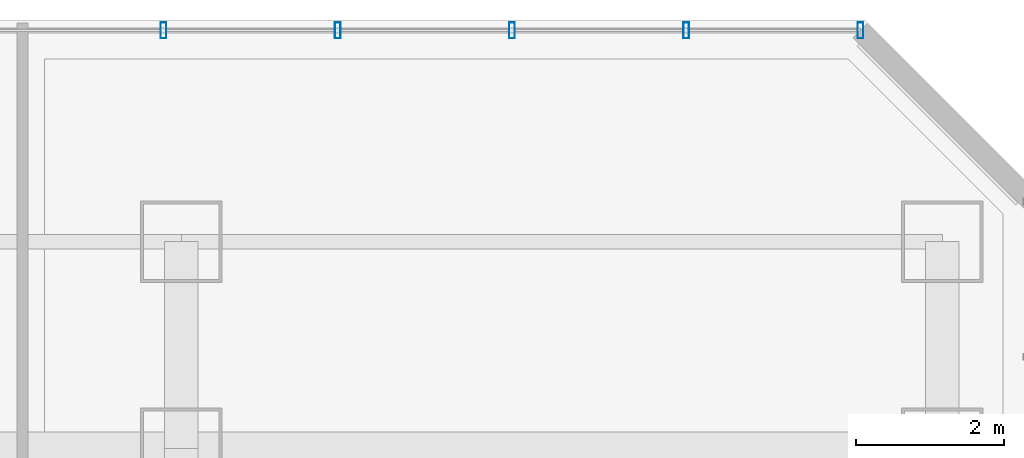
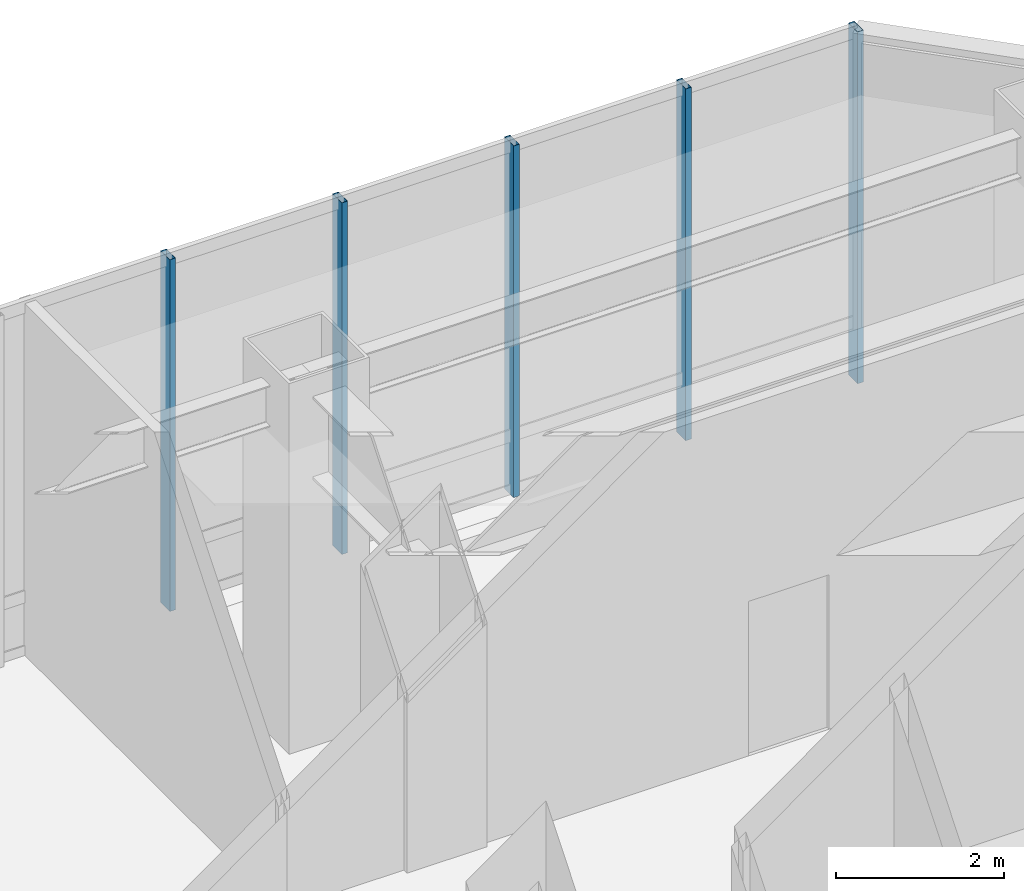
# One storey, part 22 of 35: 5 members, 1 element without a shape of its own.
"""IFC4 building model written with IfcOpenShell, lengths in metres."""

from ifc_helpers import new_model, si_unit, direction, frame, origin, origin_2d, place, context, subcontext, project, spatial, hollow_rectangle, extrude, material, layer, layer_set, material_profile, profile_set, type_object, element, aggregate, save


model = new_model("IFC4")

# Units and contexts
model_context = context("Model", 3, precision=1e-05, world=origin(), true_north=direction((0.0, 1.0)))
body_context = subcontext(model_context, "Body", "Model", "MODEL_VIEW")
ifc_project = project(units=[si_unit("LENGTHUNIT", "METRE"), si_unit("AREAUNIT", "SQUARE_METRE"), si_unit("VOLUMEUNIT", "CUBIC_METRE"), si_unit("PLANEANGLEUNIT", "RADIAN"), si_unit("MASSUNIT", "GRAM", prefix="KILO")], contexts=[model_context])

# Site, building, storey
site_placement = place(None, origin())
site = spatial("IfcSite", under=ifc_project, at=site_placement, CompositionType="ELEMENT")
building_placement = place(site_placement, origin())
building = spatial("IfcBuilding", under=site, at=building_placement, Name="Hatsunagi Terrace Concourse", CompositionType="ELEMENT")
storey_placement = place(building_placement, frame((0.0, 0.0, 16.199951171875)))
storey = spatial("IfcBuildingStorey", under=building, at=storey_placement, Name="L04", CompositionType="ELEMENT", Elevation=16.199951171875)

# Curtain wall, members
ifc_material_1 = material(Name="Anodised Aluminium Alloy 6063-T5", Category="aluminium")
ifc_layer = layer(ifc_material_1, 0.199951171875)
ifc_layer_set = layer_set([ifc_layer], Name="PodiumStorefront_CW01")
curtain_wall_type = type_object("IfcCurtainWallType", Name="PodiumStorefront_CW01", PredefinedType="NOTDEFINED", material=ifc_layer_set)
curtain_wall_placement = place(storey_placement, origin())
curtain_wall = element("IfcCurtainWall", 1, at=curtain_wall_placement, inside=storey, type_object=curtain_wall_type, Name="Unitised Curtain Wall CW-01 CW-L04-12", PredefinedType="NOTDEFINED")
ifc_material_2 = material(Name="Anodised Aluminium Alloy 6063-T5", Category="aluminium")
ifc_material_profile = material_profile(ifc_material_2, hollow_rectangle(XDim=0.080078125, YDim=0.219970703125, WallThickness=0.0048828125, at=origin_2d()), Name="ALU-MUL-220x80x5")
ifc_profile_set = profile_set([ifc_material_profile], Name="Anodised Aluminium Alloy 6063-T5")
member_type = type_object("IfcMemberType", Name="CurtainWallMullion_Heavy_220x80", PredefinedType="MULLION", material=ifc_profile_set)
member_1_placement = place(storey_placement, frame((33.110107421875, 51.4599609375, 0.0), z_axis=(0.0, 0.0, 1.0), x_axis=(1.0, 0.0, 0.0)))
member_1 = element("IfcMember", 2, at=member_1_placement, type_object=member_type, Name="Curtain Wall Mullion MUL-01", PredefinedType="MULLION", context=body_context, shape_type="SweptSolid", body=[
    extrude(hollow_rectangle(XDim=0.080078125, YDim=0.219970703125, WallThickness=0.0048828125, at=origin_2d()), origin(), (0.0, 0.0, 1.0), 5.10009765625),
])
member_2_placement = place(storey_placement, frame((35.468017578125, 51.4599609375, 0.0), z_axis=(0.0, 0.0, 1.0), x_axis=(1.0, 0.0, 0.0)))
member_2 = element("IfcMember", 3, at=member_2_placement, type_object=member_type, Name="Curtain Wall Mullion MUL-01", PredefinedType="MULLION", context=body_context, shape_type="SweptSolid", body=[
    extrude(hollow_rectangle(XDim=0.080078125, YDim=0.219970703125, WallThickness=0.0048828125, at=origin_2d()), origin(), (0.0, 0.0, 1.0), 5.10009765625),
])
member_3_placement = place(storey_placement, frame((37.825927734375, 51.4599609375, 0.0), z_axis=(0.0, 0.0, 1.0), x_axis=(1.0, 0.0, 0.0)))
member_3 = element("IfcMember", 4, at=member_3_placement, type_object=member_type, Name="Curtain Wall Mullion MUL-01", PredefinedType="MULLION", context=body_context, shape_type="SweptSolid", body=[
    extrude(hollow_rectangle(XDim=0.080078125, YDim=0.219970703125, WallThickness=0.0048828125, at=origin_2d()), origin(), (0.0, 0.0, 1.0), 5.10009765625),
])
member_4_placement = place(storey_placement, frame((40.18408203125, 51.4599609375, 0.0), z_axis=(0.0, 0.0, 1.0), x_axis=(1.0, 0.0, 0.0)))
member_4 = element("IfcMember", 5, at=member_4_placement, type_object=member_type, Name="Curtain Wall Mullion MUL-01", PredefinedType="MULLION", context=body_context, shape_type="SweptSolid", body=[
    extrude(hollow_rectangle(XDim=0.080078125, YDim=0.219970703125, WallThickness=0.0048828125, at=origin_2d()), origin(), (0.0, 0.0, 1.0), 5.10009765625),
])
member_5_placement = place(storey_placement, frame((42.5419921875, 51.4599609375, 0.0), z_axis=(0.0, 0.0, 1.0), x_axis=(1.0, 0.0, 0.0)))
member_5 = element("IfcMember", 6, at=member_5_placement, type_object=member_type, Name="Curtain Wall Mullion MUL-01", PredefinedType="MULLION", context=body_context, shape_type="SweptSolid", body=[
    extrude(hollow_rectangle(XDim=0.080078125, YDim=0.219970703125, WallThickness=0.0048828125, at=origin_2d()), origin(), (0.0, 0.0, 1.0), 5.10009765625),
])
aggregate(curtain_wall, [member_1, member_2, member_3, member_4, member_5])

save(model, "model.ifc")
